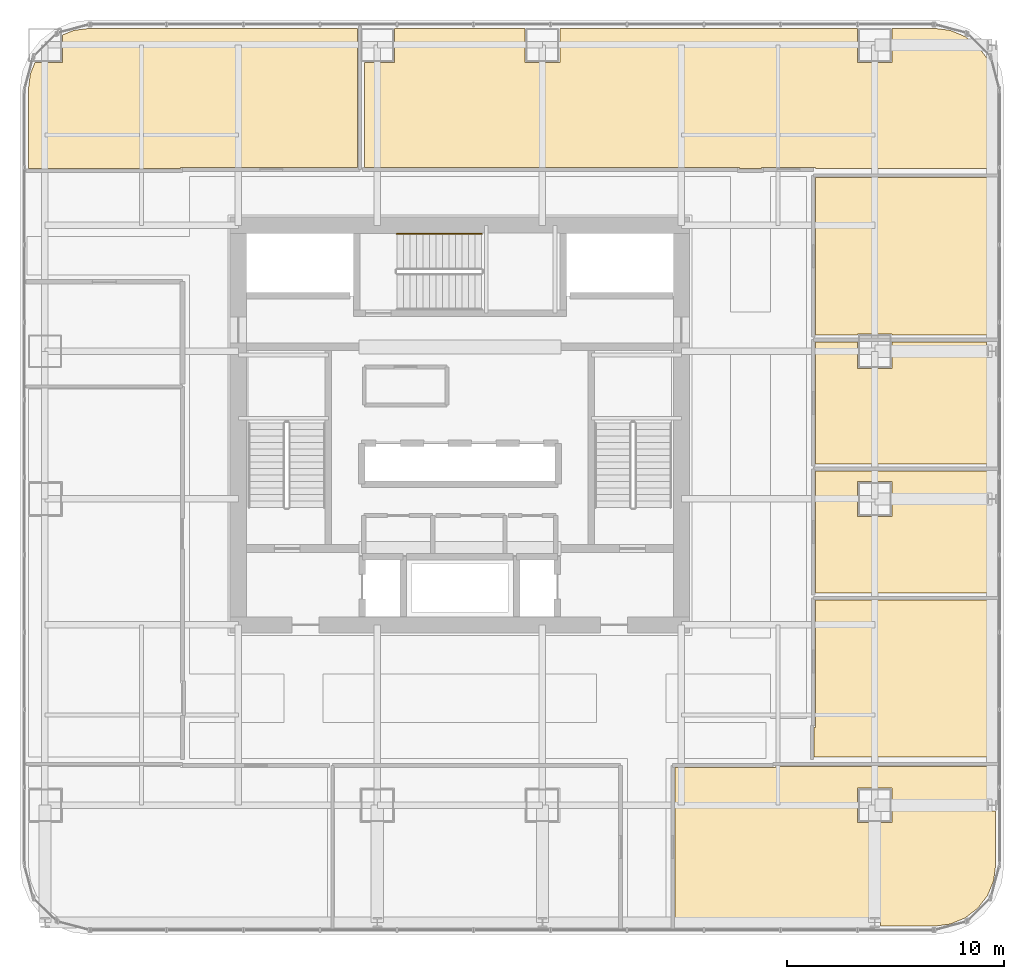
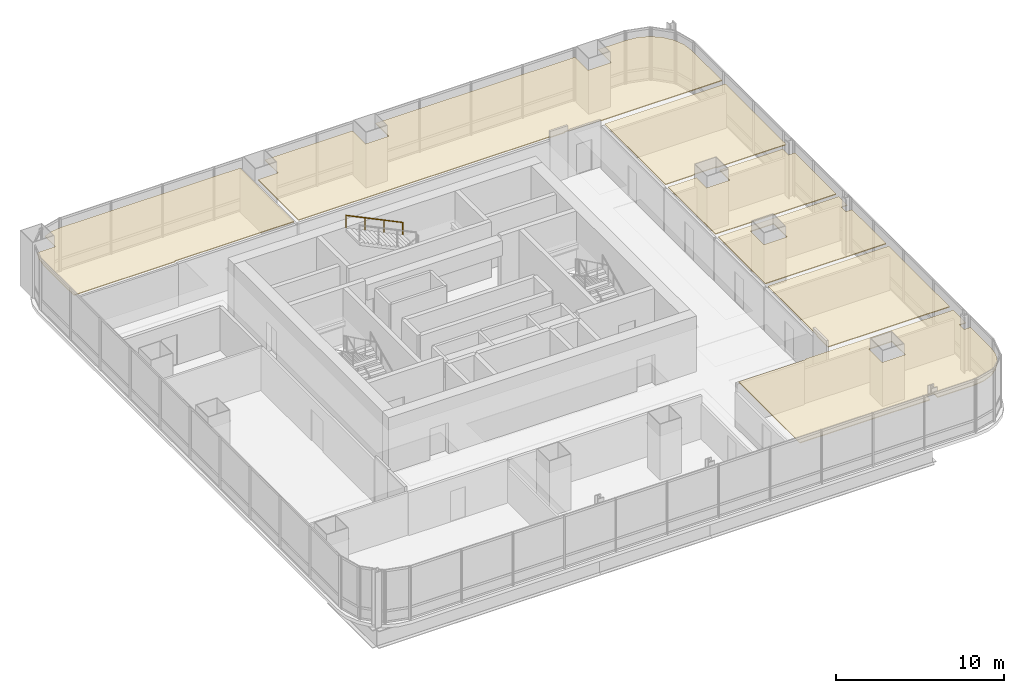
# One storey, part 34 of 34: 7 coverings, 1 railing.
"""IFC4 building model written with IfcOpenShell, lengths in metres."""

from ifc_helpers import new_model, si_unit, direction, frame, origin, origin_2d, place, context, subcontext, project, spatial, polyline, circle, outline, extrude, material, layer, layer_set, type_object, element, save


model = new_model("IFC4")

# Units and contexts
model_context = context("Model", 3, precision=1e-05, world=origin(), true_north=direction((0.0, 1.0)))
body_context = subcontext(model_context, "Body", "Model", "MODEL_VIEW")
ifc_project = project(units=[si_unit("LENGTHUNIT", "METRE"), si_unit("AREAUNIT", "SQUARE_METRE"), si_unit("VOLUMEUNIT", "CUBIC_METRE"), si_unit("PLANEANGLEUNIT", "RADIAN"), si_unit("MASSUNIT", "GRAM", prefix="KILO")], contexts=[model_context])

# Site, building, storey
site_placement = place(None, origin())
site = spatial("IfcSite", under=ifc_project, at=site_placement, CompositionType="ELEMENT")
building_placement = place(site_placement, origin())
building = spatial("IfcBuilding", under=site, at=building_placement, Name="Punatoya Terracotta Tower", CompositionType="ELEMENT")
storey_placement = place(building_placement, frame((0.0, 0.0, 84.89990234375)))
storey = spatial("IfcBuildingStorey", under=building, at=storey_placement, Name="L19", CompositionType="ELEMENT", Elevation=84.89990234375)

# Coverings
ifc_material_1 = material(Name="Acoustic Mineral Fibre Ceiling")
ifc_layer = layer(ifc_material_1, 0.06005859375)
ifc_layer_set = layer_set([ifc_layer], Name="Acoustic Mineral Fibre Ceiling")
covering_type = type_object("IfcCoveringType", Name="COV-CEIL-60", PredefinedType="CEILING", material=ifc_layer_set)
covering_1_placement = place(storey_placement, frame((0.0, 0.0, 3.2001953125)))
element("IfcCovering", 1, at=covering_1_placement, inside=storey, type_object=covering_type, Name="L19 Open-Plan Materials Testing Laboratory Acoustic Ceiling", PredefinedType="CEILING", context=body_context, shape_type="SweptSolid", body=[
    extrude(outline(polyline([(14.52001953125, -15.77001953125), (9.89990234375, -15.77001953125), (9.89990234375, -23.070068359375), (18.842041015625, -23.070068359375), (18.842041015625, -22.626953125), (19.35791015625, -22.626953125), (19.35791015625, -23.070068359375), (21.8251953125, -23.070068359375), (22.5791015625, -22.970703125), (23.25830078125, -22.689453125), (23.841796875, -22.24169921875), (24.289306640625, -21.658203125), (24.57080078125, -20.97900390625), (24.669921875, -20.22509765625), (24.669921875, -17.77294921875), (24.241943359375, -17.77294921875), (24.241943359375, -17.22705078125), (24.669921875, -17.22705078125), (24.669921875, -15.7099609375), (14.52001953125, -15.7099609375), (14.52001953125, -15.77001953125)]), holes=[polyline([(19.89990234375, -18.300048828125), (18.300048828125, -18.300048828125), (18.300048828125, -16.699951171875), (19.89990234375, -16.699951171875), (19.89990234375, -18.300048828125)])]), origin(), (0.0, 0.0, 1.0), 0.059814453125),
])
covering_2_placement = place(storey_placement, frame((0.0, 0.0, 3.2001953125)))
element("IfcCovering", 2, at=covering_2_placement, inside=storey, type_object=covering_type, Name="L19 Environmental Research Laboratory Acoustic Ceiling", PredefinedType="CEILING", context=body_context, shape_type="SweptSolid", body=[
    extrude(outline(polyline([(16.31005859375, -13.919921875), (16.31005859375, -15.2900390625), (24.669921875, -15.2900390625), (24.669921875, -8.050048828125), (16.3701171875, -8.050048828125), (16.3701171875, -13.919921875), (16.31005859375, -13.919921875)])), origin(), (0.0, 0.0, 1.0), 0.059814453125),
])
covering_3_placement = place(storey_placement, frame((0.0, 0.0, 3.2001953125)))
element("IfcCovering", 3, at=covering_3_placement, inside=storey, type_object=covering_type, Name="L19 Open-Plan Laboratory Staff Pantry Acoustic Ceiling", PredefinedType="CEILING", context=body_context, shape_type="SweptSolid", body=[
    extrude(outline(polyline([(24.669921875, -3.126953125), (24.669921875, -2.110107421875), (16.3701171875, -2.110107421875), (16.3701171875, -7.72998046875), (24.669921875, -7.72998046875), (24.669921875, -3.673095703125), (24.241943359375, -3.673095703125), (24.241943359375, -3.126953125), (24.669921875, -3.126953125)]), holes=[polyline([(18.300048828125, -4.199951171875), (18.300048828125, -2.60009765625), (19.89990234375, -2.60009765625), (19.89990234375, -4.199951171875), (18.300048828125, -4.199951171875)])]), origin(), (0.0, 0.0, 1.0), 0.059814453125),
])
covering_4_placement = place(storey_placement, frame((0.0, 0.0, 3.2001953125)))
element("IfcCovering", 4, at=covering_4_placement, inside=storey, type_object=covering_type, Name="L19 Open-Plan Wellness Rest Room Acoustic Ceiling", PredefinedType="CEILING", context=body_context, shape_type="SweptSolid", body=[
    extrude(outline(polyline([(24.241943359375, 3.830078125), (19.89990234375, 3.830078125), (19.89990234375, 2.60009765625), (18.300048828125, 2.60009765625), (18.300048828125, 3.830078125), (16.3701171875, 3.830078125), (16.3701171875, -1.7900390625), (24.669921875, -1.7900390625), (24.669921875, 3.126953125), (24.241943359375, 3.126953125), (24.241943359375, 3.830078125)])), origin(), (0.0, 0.0, 1.0), 0.059814453125),
])
covering_5_placement = place(storey_placement, frame((0.0, 0.0, 3.2001953125)))
element("IfcCovering", 5, at=covering_5_placement, inside=storey, type_object=covering_type, Name="L19 Hydrology Modelling Laboratory Acoustic Ceiling", PredefinedType="CEILING", context=body_context, shape_type="SweptSolid", body=[
    extrude(outline(polyline([(18.300048828125, 4.14990234375), (18.300048828125, 4.199951171875), (19.89990234375, 4.199951171875), (19.89990234375, 4.14990234375), (24.669921875, 4.14990234375), (24.669921875, 11.389892578125), (16.3701171875, 11.389892578125), (16.3701171875, 4.14990234375), (18.300048828125, 4.14990234375)])), origin(), (0.0, 0.0, 1.0), 0.059814453125),
])
covering_6_placement = place(storey_placement, frame((0.0, 0.0, 3.2001953125)))
element("IfcCovering", 6, at=covering_6_placement, inside=storey, type_object=covering_type, Name="L19 Open-Plan Urban Analytics Laboratory Acoustic Ceiling", PredefinedType="CEILING", context=body_context, shape_type="SweptSolid", body=[
    extrude(outline(polyline([(-12.8701171875, 11.81005859375), (-12.8701171875, 11.8701171875), (-4.705078125, 11.8701171875), (-4.705078125, 18.27001953125), (-17.025146484375, 18.27001953125), (-17.779052734375, 18.1708984375), (-18.300048828125, 17.955078125), (-18.300048828125, 16.699951171875), (-19.554931640625, 16.699951171875), (-19.770751953125, 16.178955078125), (-19.8701171875, 15.425048828125), (-19.8701171875, 11.81005859375), (-12.8701171875, 11.81005859375)])), origin(), (0.0, 0.0, 1.0), 0.059814453125),
])
covering_7_placement = place(storey_placement, frame((0.0, 0.0, 3.2001953125)))
element("IfcCovering", 7, at=covering_7_placement, inside=storey, type_object=covering_type, Name="L19 Computational Simulation Laboratory Acoustic Ceiling", PredefinedType="CEILING", context=body_context, shape_type="SweptSolid", body=[
    extrude(outline(polyline([(3.0, 18.27001953125), (-3.0, 18.27001953125), (-3.0, 16.699951171875), (-4.385009765625, 16.699951171875), (-4.385009765625, 11.8701171875), (12.8701171875, 11.8701171875), (12.8701171875, 11.81005859375), (13.8798828125, 11.81005859375), (13.8798828125, 11.8701171875), (16.3701171875, 11.8701171875), (16.3701171875, 11.81005859375), (24.669921875, 11.81005859375), (24.669921875, 15.425048828125), (24.57080078125, 16.178955078125), (24.289306640625, 16.8583984375), (23.841796875, 17.441650390625), (23.25830078125, 17.889404296875), (22.5791015625, 18.1708984375), (21.8251953125, 18.27001953125), (19.89990234375, 18.27001953125), (19.89990234375, 16.699951171875), (18.300048828125, 16.699951171875), (18.300048828125, 18.27001953125), (4.60009765625, 18.27001953125), (4.60009765625, 16.699951171875), (3.0, 16.699951171875), (3.0, 18.27001953125)])), origin(), (0.0, 0.0, 1.0), 0.059814453125),
])

# Railing
ifc_material_2 = material(Name="Steel S355", Category="steel")
railing_type = type_object("IfcRailingType", Name="RLG-HND-900", PredefinedType="HANDRAIL", material=ifc_material_2)
railing_placement = place(storey_placement, frame((1.0, 8.800048828125, 2.169677734375)))
element("IfcRailing", 8, at=railing_placement, inside=storey, type_object=railing_type, Name="L19 ST-3 stair handrail 2", PredefinedType="HANDRAIL", context=body_context, shape_type="SweptSolid", body=[
    extrude(circle(Radius=0.02392578125, at=origin_2d()), frame((0.0, 0.0, 0.8759765625), z_axis=(-0.900763166376, 0.0, 0.434310623978), x_axis=(0.0, -1.0, 0.0)), (0.0, 0.0, 1.0), 4.32958984375),
    extrude(circle(Radius=0.02099609375, at=origin_2d()), origin(), (0.0, 0.0, 1.0), 0.851806640625),
    extrude(circle(Radius=0.02099609375, at=origin_2d()), frame((-1.300048828125, 0.0, 0.626708984375)), (0.0, 0.0, 1.0), 0.851806640625),
    extrude(circle(Radius=0.02099609375, at=origin_2d()), frame((-2.599853515625, 0.0, 1.253662109375)), (0.0, 0.0, 1.0), 0.851806640625),
    extrude(circle(Radius=0.02099609375, at=origin_2d()), frame((-3.89990234375, 0.0, 1.88037109375)), (0.0, 0.0, 1.0), 0.851806640625),
])

save(model, "model.ifc")
